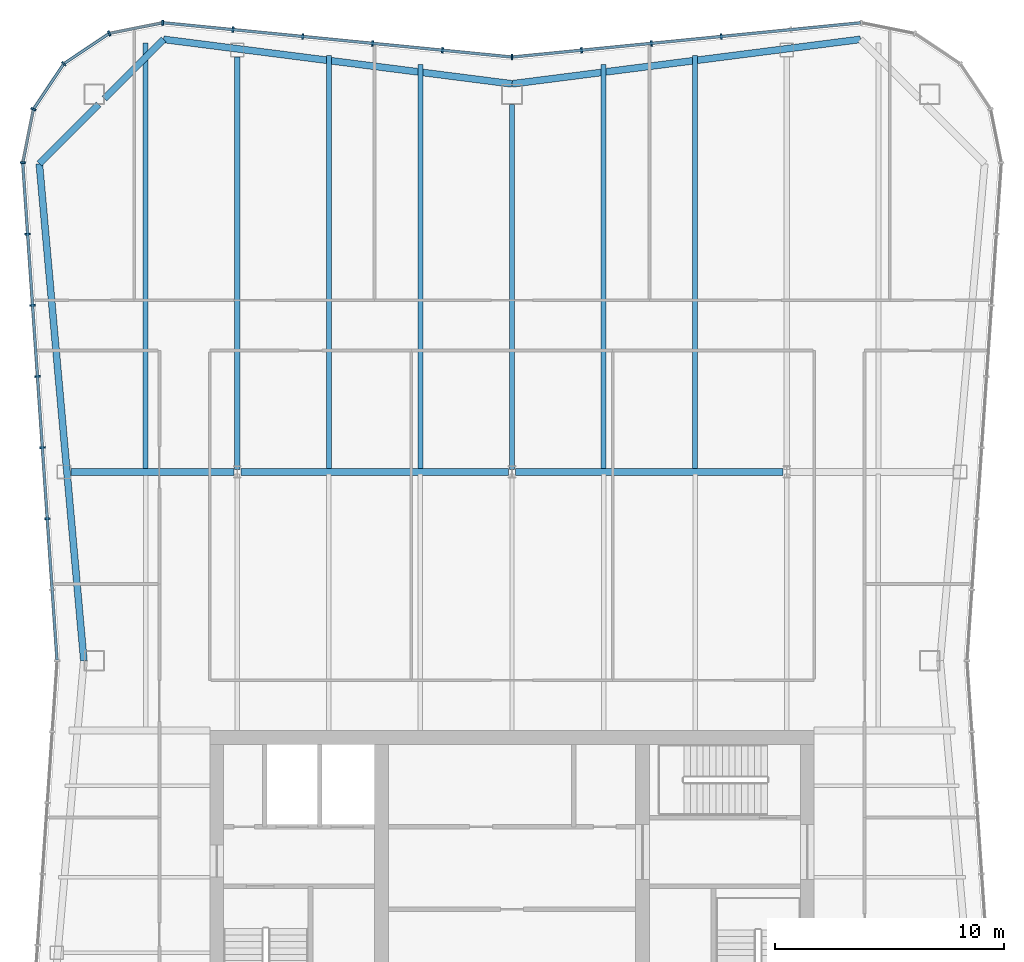
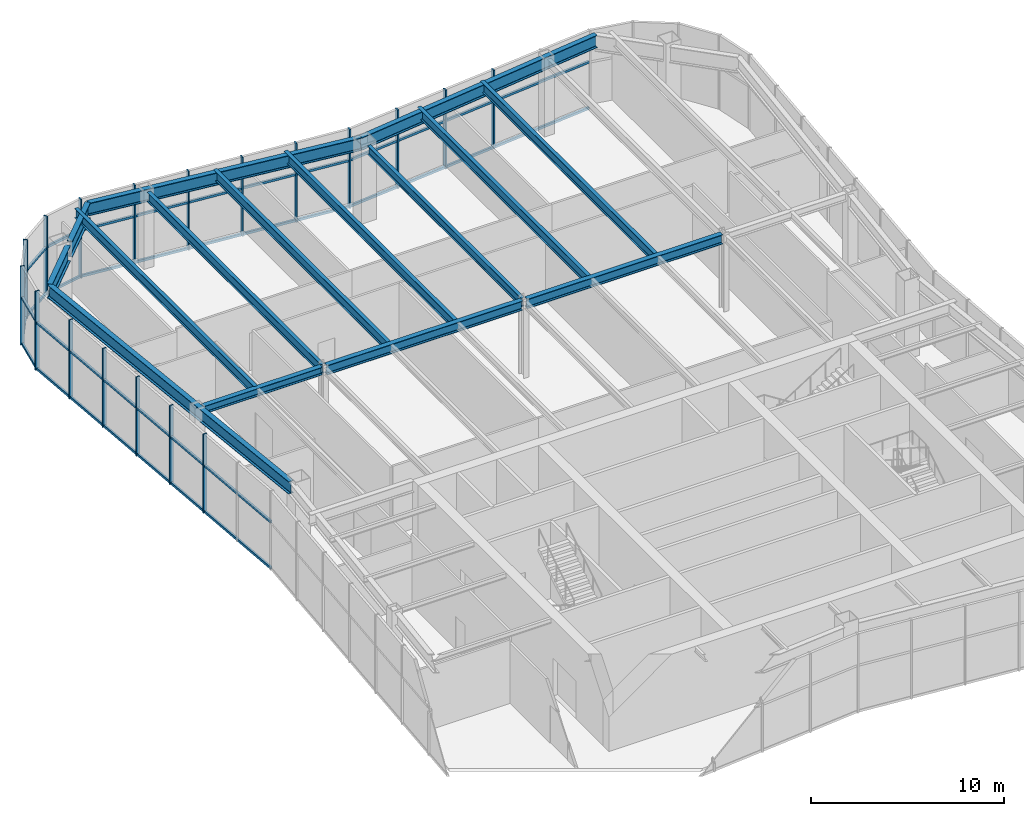
# One storey, part 6 of 13: 32 members, 15 beams, 3 elements without a shape of their own.
"""IFC4 building model written with IfcOpenShell, lengths in metres."""

from ifc_helpers import new_model, si_unit, direction, frame, origin, origin_2d, place, context, subcontext, project, spatial, rectangle, i_section, extrude, material, material_profile, profile_set, type_object, element, aggregate, save


model = new_model("IFC4")

# Units and contexts
model_context = context("Model", 3, precision=1e-05, world=origin(), true_north=direction((0.0, 1.0)))
body_context = subcontext(model_context, "Body", "Model", "MODEL_VIEW")
ifc_project = project(units=[si_unit("LENGTHUNIT", "METRE"), si_unit("AREAUNIT", "SQUARE_METRE"), si_unit("VOLUMEUNIT", "CUBIC_METRE"), si_unit("PLANEANGLEUNIT", "RADIAN"), si_unit("MASSUNIT", "GRAM", prefix="KILO")], contexts=[model_context])

# Site, building, storey
site_placement = place(None, origin())
site = spatial("IfcSite", under=ifc_project, at=site_placement, CompositionType="ELEMENT")
building_placement = place(site_placement, origin())
building = spatial("IfcBuilding", under=site, at=building_placement, Name="Verdant Reach Tower", CompositionType="ELEMENT")
storey_placement = place(building_placement, frame((0.0, 0.0, 354.5)))
storey = spatial("IfcBuildingStorey", under=building, at=storey_placement, Name="L80 Plant", CompositionType="ELEMENT", Elevation=354.5)

# Curtain wall, members
ifc_material_1 = material(Name="Anodised aluminium", Category="aluminium")
curtain_wall_type = type_object("IfcCurtainWallType", Name="EN-CW SYSTEM PLANT", PredefinedType="NOTDEFINED", material=ifc_material_1)
curtain_wall_1_placement = place(storey_placement, origin())
curtain_wall_1 = element("IfcCurtainWall", 1, at=curtain_wall_1_placement, inside=storey, type_object=curtain_wall_type, Name="Curtain wall north, L80", PredefinedType="NOTDEFINED")
ifc_material_profile_1 = material_profile(ifc_material_1, rectangle(XDim=0.238037109375, YDim=0.080078125, at=origin_2d()), Name="Mullion 80x240")
ifc_profile_set_1 = profile_set([ifc_material_profile_1], Name="Anodised aluminium")
member_type_1 = type_object("IfcMemberType", Name="EN-MULLION PLANT", PredefinedType="MULLION", material=ifc_profile_set_1)
member_1_placement = place(storey_placement, frame((9.138427734375, 68.518310546875, -0.35009765625), z_axis=(0.0, 0.0, 1.0), x_axis=(-0.09788826992, 0.995197410875, 0.0)))
member_1 = element("IfcMember", 2, at=member_1_placement, type_object=member_type_1, Name="Mullion north face part 1 3, L80", PredefinedType="MULLION", context=body_context, shape_type="SweptSolid", body=[
    extrude(rectangle(XDim=0.238037109375, YDim=0.080078125, at=origin_2d()), origin(), (0.0, 0.0, 1.0), 5.0),
])
member_2_placement = place(storey_placement, frame((6.08837890625, 68.218505859375, -0.35009765625), z_axis=(0.0, 0.0, 1.0), x_axis=(-0.09788826992, 0.995197410875, 0.0)))
member_2 = element("IfcMember", 3, at=member_2_placement, type_object=member_type_1, Name="Mullion north face part 1 4, L80", PredefinedType="MULLION", context=body_context, shape_type="SweptSolid", body=[
    extrude(rectangle(XDim=0.238037109375, YDim=0.080078125, at=origin_2d()), origin(), (0.0, 0.0, 1.0), 5.0),
])
member_3_placement = place(storey_placement, frame((3.038330078125, 67.91845703125, -0.35009765625), z_axis=(0.0, 0.0, 1.0), x_axis=(-0.09788826992, 0.995197410875, 0.0)))
member_3 = element("IfcMember", 4, at=member_3_placement, type_object=member_type_1, Name="Mullion north face part 1 5, L80", PredefinedType="MULLION", context=body_context, shape_type="SweptSolid", body=[
    extrude(rectangle(XDim=0.238037109375, YDim=0.080078125, at=origin_2d()), origin(), (0.0, 0.0, 1.0), 5.0),
])
member_4_placement = place(storey_placement, frame((0.0, 67.618896484375, -0.35009765625), z_axis=(0.0, 0.0, 1.0), x_axis=(0.0, 1.0, 0.0)))
member_4 = element("IfcMember", 5, at=member_4_placement, type_object=member_type_1, Name="Mullion north face part 2 1, L80", PredefinedType="MULLION", context=body_context, shape_type="SweptSolid", body=[
    extrude(rectangle(XDim=0.238037109375, YDim=0.080078125, at=origin_2d()), origin(), (0.0, 0.0, 1.0), 5.0),
])
member_5_placement = place(storey_placement, frame((-3.038330078125, 67.91845703125, -0.35009765625), z_axis=(0.0, 0.0, 1.0), x_axis=(0.09788826992, 0.995197410875, 0.0)))
member_5 = element("IfcMember", 6, at=member_5_placement, type_object=member_type_1, Name="Mullion north face part 2 2, L80", PredefinedType="MULLION", context=body_context, shape_type="SweptSolid", body=[
    extrude(rectangle(XDim=0.238037109375, YDim=0.080078125, at=origin_2d()), origin(), (0.0, 0.0, 1.0), 5.0),
])
member_6_placement = place(storey_placement, frame((-6.08837890625, 68.218505859375, -0.35009765625), z_axis=(0.0, 0.0, 1.0), x_axis=(0.09788826992, 0.995197410875, 0.0)))
member_6 = element("IfcMember", 7, at=member_6_placement, type_object=member_type_1, Name="Mullion north face part 2 3, L80", PredefinedType="MULLION", context=body_context, shape_type="SweptSolid", body=[
    extrude(rectangle(XDim=0.238037109375, YDim=0.080078125, at=origin_2d()), origin(), (0.0, 0.0, 1.0), 5.0),
])
member_7_placement = place(storey_placement, frame((-9.138427734375, 68.518310546875, -0.35009765625), z_axis=(0.0, 0.0, 1.0), x_axis=(0.09788826992, 0.995197410875, 0.0)))
member_7 = element("IfcMember", 8, at=member_7_placement, type_object=member_type_1, Name="Mullion north face part 2 4, L80", PredefinedType="MULLION", context=body_context, shape_type="SweptSolid", body=[
    extrude(rectangle(XDim=0.238037109375, YDim=0.080078125, at=origin_2d()), origin(), (0.0, 0.0, 1.0), 5.0),
])
member_8_placement = place(storey_placement, frame((-12.188232421875, 68.818359375, -0.35009765625), z_axis=(0.0, 0.0, 1.0), x_axis=(0.09788826992, 0.995197410875, 0.0)))
member_8 = element("IfcMember", 9, at=member_8_placement, type_object=member_type_1, Name="Mullion north face part 2 5, L80", PredefinedType="MULLION", context=body_context, shape_type="SweptSolid", body=[
    extrude(rectangle(XDim=0.238037109375, YDim=0.080078125, at=origin_2d()), origin(), (0.0, 0.0, 1.0), 5.0),
])

curtain_wall_2_placement = place(storey_placement, origin())
curtain_wall_2 = element("IfcCurtainWall", 10, at=curtain_wall_2_placement, inside=storey, type_object=curtain_wall_type, Name="Curtain wall north-west corner, L80", PredefinedType="NOTDEFINED")
member_9_placement = place(storey_placement, frame((-15.255859375, 69.118896484375, -0.35009765625), z_axis=(0.0, 0.0, 1.0), x_axis=(-0.049127596288, 0.998792510626, 0.0)))
member_9 = element("IfcMember", 11, at=member_9_placement, type_object=member_type_1, Name="Mullion north-west corner 1, L80", PredefinedType="MULLION", context=body_context, shape_type="SweptSolid", body=[
    extrude(rectangle(XDim=0.238037109375, YDim=0.080078125, at=origin_2d()), origin(), (0.0, 0.0, 1.0), 5.0),
])
member_10_placement = place(storey_placement, frame((-17.591552734375, 68.6533203125, -0.35009765625), z_axis=(0.0, 0.0, 1.0), x_axis=(-0.382693853776, 0.923875215753, 0.0)))
member_10 = element("IfcMember", 12, at=member_10_placement, type_object=member_type_1, Name="Mullion north-west corner 2, L80", PredefinedType="MULLION", context=body_context, shape_type="SweptSolid", body=[
    extrude(rectangle(XDim=0.238037109375, YDim=0.080078125, at=origin_2d()), origin(), (0.0, 0.0, 1.0), 5.0),
])
member_11_placement = place(storey_placement, frame((-19.57666015625, 67.32666015625, -0.35009765625), z_axis=(0.0, 0.0, 1.0), x_axis=(-0.707106781187, 0.707106781187, 0.0)))
member_11 = element("IfcMember", 13, at=member_11_placement, type_object=member_type_1, Name="Mullion north-west corner 3, L80", PredefinedType="MULLION", context=body_context, shape_type="SweptSolid", body=[
    extrude(rectangle(XDim=0.238037109375, YDim=0.080078125, at=origin_2d()), origin(), (0.0, 0.0, 1.0), 5.0),
])
member_12_placement = place(storey_placement, frame((-20.9033203125, 65.341552734375, -0.35009765625), z_axis=(0.0, 0.0, 1.0), x_axis=(-0.923875215753, 0.382693853776, 0.0)))
member_12 = element("IfcMember", 14, at=member_12_placement, type_object=member_type_1, Name="Mullion north-west corner 4, L80", PredefinedType="MULLION", context=body_context, shape_type="SweptSolid", body=[
    extrude(rectangle(XDim=0.238037109375, YDim=0.080078125, at=origin_2d()), origin(), (0.0, 0.0, 1.0), 5.0),
])

curtain_wall_3_placement = place(storey_placement, origin())
curtain_wall_3 = element("IfcCurtainWall", 15, at=curtain_wall_3_placement, inside=storey, type_object=curtain_wall_type, Name="Curtain wall west, L80", PredefinedType="NOTDEFINED")
member_13_placement = place(storey_placement, frame((-21.36865234375, 63.007568359375, -0.35009765625), z_axis=(0.0, 0.0, 1.0), x_axis=(-0.997969180898, 0.063698618332, 0.0)))
member_13 = element("IfcMember", 16, at=member_13_placement, type_object=member_type_1, Name="Mullion west face part 1 1, L80", PredefinedType="MULLION", context=body_context, shape_type="SweptSolid", body=[
    extrude(rectangle(XDim=0.238037109375, YDim=0.080078125, at=origin_2d()), origin(), (0.0, 0.0, 1.0), 5.0),
])
member_14_placement = place(storey_placement, frame((-21.154541015625, 59.884765625, -0.35009765625), z_axis=(0.0, 0.0, 1.0), x_axis=(-0.997630328423, -0.068802091615, 0.0)))
member_14 = element("IfcMember", 17, at=member_14_placement, type_object=member_type_1, Name="Mullion west face part 1 2, L80", PredefinedType="MULLION", context=body_context, shape_type="SweptSolid", body=[
    extrude(rectangle(XDim=0.238037109375, YDim=0.080078125, at=origin_2d()), origin(), (0.0, 0.0, 1.0), 5.0),
])
member_15_placement = place(storey_placement, frame((-20.940185546875, 56.777587890625, -0.35009765625), z_axis=(0.0, 0.0, 1.0), x_axis=(-0.997630328423, -0.068802091615, 0.0)))
member_15 = element("IfcMember", 18, at=member_15_placement, type_object=member_type_1, Name="Mullion west face part 1 3, L80", PredefinedType="MULLION", context=body_context, shape_type="SweptSolid", body=[
    extrude(rectangle(XDim=0.238037109375, YDim=0.080078125, at=origin_2d()), origin(), (0.0, 0.0, 1.0), 5.0),
])
member_16_placement = place(storey_placement, frame((-20.725830078125, 53.67041015625, -0.35009765625), z_axis=(0.0, 0.0, 1.0), x_axis=(-0.997630328423, -0.068802091615, 0.0)))
member_16 = element("IfcMember", 19, at=member_16_placement, type_object=member_type_1, Name="Mullion west face part 1 4, L80", PredefinedType="MULLION", context=body_context, shape_type="SweptSolid", body=[
    extrude(rectangle(XDim=0.238037109375, YDim=0.080078125, at=origin_2d()), origin(), (0.0, 0.0, 1.0), 5.0),
])
member_17_placement = place(storey_placement, frame((-20.511474609375, 50.563232421875, -0.35009765625), z_axis=(0.0, 0.0, 1.0), x_axis=(-0.997630328423, -0.068802091615, 0.0)))
member_17 = element("IfcMember", 20, at=member_17_placement, type_object=member_type_1, Name="Mullion west face part 1 5, L80", PredefinedType="MULLION", context=body_context, shape_type="SweptSolid", body=[
    extrude(rectangle(XDim=0.238037109375, YDim=0.080078125, at=origin_2d()), origin(), (0.0, 0.0, 1.0), 5.0),
])
member_18_placement = place(storey_placement, frame((-20.29736328125, 47.4560546875, -0.35009765625), z_axis=(0.0, 0.0, 1.0), x_axis=(-0.997630328423, -0.068802091615, 0.0)))
member_18 = element("IfcMember", 21, at=member_18_placement, type_object=member_type_1, Name="Mullion west face part 1 6, L80", PredefinedType="MULLION", context=body_context, shape_type="SweptSolid", body=[
    extrude(rectangle(XDim=0.238037109375, YDim=0.080078125, at=origin_2d()), origin(), (0.0, 0.0, 1.0), 5.0),
])

# Member
ifc_material_profile_2 = material_profile(ifc_material_1, rectangle(XDim=0.1201171875, YDim=0.14990234375, at=origin_2d()), Name="Transom 150x120")
ifc_profile_set_2 = profile_set([ifc_material_profile_2], Name="Anodised aluminium")
member_type_2 = type_object("IfcMemberType", Name="EN-TRANSOM PLANT", PredefinedType="USERDEFINED", material=ifc_profile_set_2)
member_19_placement = place(storey_placement, frame((15.216064453125, 69.114990234375, -0.27490234375), z_axis=(-0.995200989722, -0.097851878144, 0.0), x_axis=(0.097851878144, -0.995200989722, 0.0)))
member_19 = element("IfcMember", 22, at=member_19_placement, type_object=member_type_2, Name="Transom north face part 1 1.1, L80", ObjectType="TRANSOM", PredefinedType="USERDEFINED", context=body_context, shape_type="SweptSolid", body=[
    extrude(rectangle(XDim=0.1201171875, YDim=0.14990234375, at=origin_2d()), origin(), (0.0, 0.0, 1.0), 15.24951171875),
])

member_20_placement = place(storey_placement, frame((15.216064453125, 69.114990234375, 2.64990234375), z_axis=(-0.995200989722, -0.097851878144, 0.0), x_axis=(0.097851878144, -0.995200989722, 0.0)))
member_20 = element("IfcMember", 23, at=member_20_placement, type_object=member_type_2, Name="Transom north face part 1 1.2, L80", ObjectType="TRANSOM", PredefinedType="USERDEFINED", context=body_context, shape_type="SweptSolid", body=[
    extrude(rectangle(XDim=0.1201171875, YDim=0.14990234375, at=origin_2d()), origin(), (0.0, 0.0, 1.0), 15.24951171875),
])

member_21_placement = place(storey_placement, frame((-0.039794921875, 67.622802734375, -0.27490234375), z_axis=(-0.995200989722, 0.097851878144, 0.0), x_axis=(-0.097851878144, -0.995200989722, 0.0)))
member_21 = element("IfcMember", 24, at=member_21_placement, type_object=member_type_2, Name="Transom north face part 2 1.1, L80", ObjectType="TRANSOM", PredefinedType="USERDEFINED", context=body_context, shape_type="SweptSolid", body=[
    extrude(rectangle(XDim=0.1201171875, YDim=0.14990234375, at=origin_2d()), origin(), (0.0, 0.0, 1.0), 15.24951171875),
])

member_22_placement = place(storey_placement, frame((-0.039794921875, 67.622802734375, 2.64990234375), z_axis=(-0.995200989722, 0.097851878144, 0.0), x_axis=(-0.097851878144, -0.995200989722, 0.0)))
member_22 = element("IfcMember", 25, at=member_22_placement, type_object=member_type_2, Name="Transom north face part 2 1.2, L80", ObjectType="TRANSOM", PredefinedType="USERDEFINED", context=body_context, shape_type="SweptSolid", body=[
    extrude(rectangle(XDim=0.1201171875, YDim=0.14990234375, at=origin_2d()), origin(), (0.0, 0.0, 1.0), 15.24951171875),
])

aggregate(curtain_wall_1, [member_1, member_2, member_3, member_19, member_20, member_4, member_5, member_6, member_7, member_8, member_21, member_22])

member_23_placement = place(storey_placement, frame((-15.295166015625, 69.111083984375, -0.27490234375), z_axis=(-0.980706937788, -0.195483764476, 0.0), x_axis=(0.195483764476, -0.980706937788, 0.0)))
member_23 = element("IfcMember", 26, at=member_23_placement, type_object=member_type_2, Name="Transom north-west corner 1.1, L80", ObjectType="TRANSOM", PredefinedType="USERDEFINED", context=body_context, shape_type="SweptSolid", body=[
    extrude(rectangle(XDim=0.1201171875, YDim=0.14990234375, at=origin_2d()), origin(), (0.0, 0.0, 1.0), 2.3017578125),
])

member_24_placement = place(storey_placement, frame((-17.625, 68.631103515625, -0.27490234375), z_axis=(-0.831398626828, -0.5556764556, 0.0), x_axis=(0.5556764556, -0.831398626828, 0.0)))
member_24 = element("IfcMember", 27, at=member_24_placement, type_object=member_type_2, Name="Transom north-west corner 2.1, L80", ObjectType="TRANSOM", PredefinedType="USERDEFINED", context=body_context, shape_type="SweptSolid", body=[
    extrude(rectangle(XDim=0.1201171875, YDim=0.14990234375, at=origin_2d()), origin(), (0.0, 0.0, 1.0), 2.3076171875),
])

member_25_placement = place(storey_placement, frame((-19.598876953125, 67.29345703125, -0.27490234375), z_axis=(-0.5556764556, -0.831398626828, 0.0), x_axis=(0.831398626828, -0.5556764556, 0.0)))
member_25 = element("IfcMember", 28, at=member_25_placement, type_object=member_type_2, Name="Transom north-west corner 3.1, L80", ObjectType="TRANSOM", PredefinedType="USERDEFINED", context=body_context, shape_type="SweptSolid", body=[
    extrude(rectangle(XDim=0.1201171875, YDim=0.14990234375, at=origin_2d()), origin(), (0.0, 0.0, 1.0), 2.3076171875),
])

member_26_placement = place(storey_placement, frame((-20.9111328125, 65.302490234375, -0.27490234375), z_axis=(-0.195524121666, -0.980698892549, 0.0), x_axis=(0.980698892549, -0.195524121666, 0.0)))
member_26 = element("IfcMember", 29, at=member_26_placement, type_object=member_type_2, Name="Transom north-west corner 4.1, L80", ObjectType="TRANSOM", PredefinedType="USERDEFINED", context=body_context, shape_type="SweptSolid", body=[
    extrude(rectangle(XDim=0.1201171875, YDim=0.14990234375, at=origin_2d()), origin(), (0.0, 0.0, 1.0), 2.300048828125),
])

member_27_placement = place(storey_placement, frame((-15.295166015625, 69.111083984375, 2.64990234375), z_axis=(-0.980706937788, -0.195483764476, 0.0), x_axis=(0.195483764476, -0.980706937788, 0.0)))
member_27 = element("IfcMember", 30, at=member_27_placement, type_object=member_type_2, Name="Transom north-west corner 1.2, L80", ObjectType="TRANSOM", PredefinedType="USERDEFINED", context=body_context, shape_type="SweptSolid", body=[
    extrude(rectangle(XDim=0.1201171875, YDim=0.14990234375, at=origin_2d()), origin(), (0.0, 0.0, 1.0), 2.3017578125),
])

member_28_placement = place(storey_placement, frame((-17.625, 68.631103515625, 2.64990234375), z_axis=(-0.831398626828, -0.5556764556, 0.0), x_axis=(0.5556764556, -0.831398626828, 0.0)))
member_28 = element("IfcMember", 31, at=member_28_placement, type_object=member_type_2, Name="Transom north-west corner 2.2, L80", ObjectType="TRANSOM", PredefinedType="USERDEFINED", context=body_context, shape_type="SweptSolid", body=[
    extrude(rectangle(XDim=0.1201171875, YDim=0.14990234375, at=origin_2d()), origin(), (0.0, 0.0, 1.0), 2.3076171875),
])

member_29_placement = place(storey_placement, frame((-19.598876953125, 67.29345703125, 2.64990234375), z_axis=(-0.5556764556, -0.831398626828, 0.0), x_axis=(0.831398626828, -0.5556764556, 0.0)))
member_29 = element("IfcMember", 32, at=member_29_placement, type_object=member_type_2, Name="Transom north-west corner 3.2, L80", ObjectType="TRANSOM", PredefinedType="USERDEFINED", context=body_context, shape_type="SweptSolid", body=[
    extrude(rectangle(XDim=0.1201171875, YDim=0.14990234375, at=origin_2d()), origin(), (0.0, 0.0, 1.0), 2.3076171875),
])

member_30_placement = place(storey_placement, frame((-20.9111328125, 65.302490234375, 2.64990234375), z_axis=(-0.195524121666, -0.980698892549, 0.0), x_axis=(0.980698892549, -0.195524121666, 0.0)))
member_30 = element("IfcMember", 33, at=member_30_placement, type_object=member_type_2, Name="Transom north-west corner 4.2, L80", ObjectType="TRANSOM", PredefinedType="USERDEFINED", context=body_context, shape_type="SweptSolid", body=[
    extrude(rectangle(XDim=0.1201171875, YDim=0.14990234375, at=origin_2d()), origin(), (0.0, 0.0, 1.0), 2.300048828125),
])

aggregate(curtain_wall_2, [member_9, member_10, member_11, member_12, member_23, member_24, member_25, member_26, member_27, member_28, member_29, member_30])

member_31_placement = place(storey_placement, frame((-21.365966796875, 62.9677734375, -0.27490234375), z_axis=(0.068761218296, -0.997633146431, 0.0), x_axis=(0.997633146431, 0.068761218296, 0.0)))
member_31 = element("IfcMember", 34, at=member_31_placement, type_object=member_type_2, Name="Transom west face part 1 1.1, L80", ObjectType="TRANSOM", PredefinedType="USERDEFINED", context=body_context, shape_type="SweptSolid", body=[
    extrude(rectangle(XDim=0.1201171875, YDim=0.14990234375, at=origin_2d()), origin(), (0.0, 0.0, 1.0), 21.7294921875),
])

member_32_placement = place(storey_placement, frame((-21.365966796875, 62.9677734375, 2.64990234375), z_axis=(0.068761218296, -0.997633146431, 0.0), x_axis=(0.997633146431, 0.068761218296, 0.0)))
member_32 = element("IfcMember", 35, at=member_32_placement, type_object=member_type_2, Name="Transom west face part 1 1.2, L80", ObjectType="TRANSOM", PredefinedType="USERDEFINED", context=body_context, shape_type="SweptSolid", body=[
    extrude(rectangle(XDim=0.1201171875, YDim=0.14990234375, at=origin_2d()), origin(), (0.0, 0.0, 1.0), 21.7294921875),
])

aggregate(curtain_wall_3, [member_13, member_14, member_15, member_16, member_17, member_18, member_31, member_32])

# Beams
ifc_material_2 = material(Name="Steel S355", Category="steel")
ifc_material_profile_3 = material_profile(ifc_material_2, i_section(OverallWidth=0.300048828125, OverallDepth=0.489990234375, WebThickness=0.011962890625, FlangeThickness=0.02294921875, FilletRadius=0.027099609375, at=origin_2d()), Name="HEA 500")
ifc_profile_set_3 = profile_set([ifc_material_profile_3], Name="Steel S355")
beam_type_1 = type_object("IfcBeamType", Name="ST-BEAM-HEA500", PredefinedType="BEAM", material=ifc_profile_set_3)
beam_1_placement = place(storey_placement, frame((-19.26904296875, 49.5, 4.60498046875), z_axis=(1.0, 0.0, 0.0), x_axis=(0.0, 1.0, 0.0)))
element("IfcBeam", 36, at=beam_1_placement, inside=storey, type_object=beam_type_1, Name="Row girder, L80 Plant", PredefinedType="BEAM", context=body_context, shape_type="SweptSolid", body=[
    extrude(i_section(OverallWidth=0.300048828125, OverallDepth=0.489990234375, WebThickness=0.011962890625, FlangeThickness=0.02294921875, FilletRadius=0.027099609375, at=origin_2d()), origin(), (0.0, 0.0, 1.0), 7.115966796875),
])
ifc_material_profile_4 = material_profile(ifc_material_2, i_section(OverallWidth=0.300048828125, OverallDepth=0.60009765625, WebThickness=0.015380859375, FlangeThickness=0.030029296875, FilletRadius=0.027099609375, at=origin_2d()), Name="HEB 600")
ifc_profile_set_4 = profile_set([ifc_material_profile_4], Name="Steel S355")
beam_type_2 = type_object("IfcBeamType", Name="ST-BEAM-HEB600", PredefinedType="BEAM", material=ifc_profile_set_4)
for number, where, z_axis, x_axis, name in (
    (37, (-11.846923828125, 49.5, 4.550048828125), (1.0, 0.0, 0.0), (0.0, 1.0, 0.0), "Row girder, L80 Plant"),
    (38, (0.153076171875, 49.5, 4.550048828125), (1.0, 0.0, 0.0), (0.0, 1.0, 0.0), "Row girder, L80 Plant"),
):
    element("IfcBeam", number, at=place(storey_placement, frame(where, z_axis=z_axis, x_axis=x_axis)), inside=storey, type_object=beam_type_2, Name=name, PredefinedType="BEAM", context=body_context, shape_type="SweptSolid", body=[
        extrude(i_section(OverallWidth=0.300048828125, OverallDepth=0.60009765625, WebThickness=0.015380859375, FlangeThickness=0.030029296875, FilletRadius=0.027099609375, at=origin_2d()), origin(), (0.0, 0.0, 1.0), 11.69384765625),
    ])
ifc_material_profile_5 = material_profile(ifc_material_2, i_section(OverallWidth=0.2099609375, OverallDepth=0.550048828125, WebThickness=0.010986328125, FlangeThickness=0.01708984375, FilletRadius=0.02392578125, at=origin_2d()), Name="IPE 550")
ifc_profile_set_5 = profile_set([ifc_material_profile_5], Name="Steel S355")
beam_type_3 = type_object("IfcBeamType", Name="ST-JOIST-IPE550", PredefinedType="JOIST", material=ifc_profile_set_5)
beam_2_placement = place(storey_placement, frame((0.0, 49.60009765625, 4.574951171875), z_axis=(0.0, 1.0, 0.0), x_axis=(-1.0, 0.0, 0.0)))
element("IfcBeam", 39, at=beam_2_placement, inside=storey, type_object=beam_type_3, Name="Floor joist, L80 Plant", PredefinedType="JOIST", context=body_context, shape_type="SweptSolid", body=[
    extrude(i_section(OverallWidth=0.2099609375, OverallDepth=0.550048828125, WebThickness=0.010986328125, FlangeThickness=0.01708984375, FilletRadius=0.02392578125, at=origin_2d()), origin(), (0.0, 0.0, 1.0), 15.949951171875),
])
ifc_material_profile_6 = material_profile(ifc_material_2, i_section(OverallWidth=0.219970703125, OverallDepth=0.60009765625, WebThickness=0.011962890625, FlangeThickness=0.01904296875, FilletRadius=0.02392578125, at=origin_2d()), Name="IPE 600")
ifc_profile_set_6 = profile_set([ifc_material_profile_6], Name="Steel S355")
beam_type_4 = type_object("IfcBeamType", Name="ST-JOIST-IPE600", PredefinedType="JOIST", material=ifc_profile_set_6)
beam_3_placement = place(storey_placement, frame((-16.0, 49.60009765625, 4.550048828125), z_axis=(0.0, 1.0, 0.0), x_axis=(-1.0, 0.0, 0.0)))
element("IfcBeam", 40, at=beam_3_placement, inside=storey, type_object=beam_type_4, Name="Floor joist, L80 Plant", PredefinedType="JOIST", context=body_context, shape_type="SweptSolid", body=[
    extrude(i_section(OverallWidth=0.219970703125, OverallDepth=0.60009765625, WebThickness=0.011962890625, FlangeThickness=0.01904296875, FilletRadius=0.02392578125, at=origin_2d()), origin(), (0.0, 0.0, 1.0), 18.638916015625),
])
beam_4_placement = place(storey_placement, frame((-12.0, 49.60009765625, 4.550048828125), z_axis=(0.0, 1.0, 0.0), x_axis=(-1.0, 0.0, 0.0)))
element("IfcBeam", 41, at=beam_4_placement, inside=storey, type_object=beam_type_4, Name="Floor joist, L80 Plant", PredefinedType="JOIST", context=body_context, shape_type="SweptSolid", body=[
    extrude(i_section(OverallWidth=0.219970703125, OverallDepth=0.60009765625, WebThickness=0.011962890625, FlangeThickness=0.01904296875, FilletRadius=0.02392578125, at=origin_2d()), origin(), (0.0, 0.0, 1.0), 18.0302734375),
])
beam_5_placement = place(storey_placement, frame((-8.0, 49.60009765625, 4.550048828125), z_axis=(0.0, 1.0, 0.0), x_axis=(-1.0, 0.0, 0.0)))
element("IfcBeam", 42, at=beam_5_placement, inside=storey, type_object=beam_type_4, Name="Floor joist, L80 Plant", PredefinedType="JOIST", context=body_context, shape_type="SweptSolid", body=[
    extrude(i_section(OverallWidth=0.219970703125, OverallDepth=0.60009765625, WebThickness=0.011962890625, FlangeThickness=0.01904296875, FilletRadius=0.02392578125, at=origin_2d()), origin(), (0.0, 0.0, 1.0), 18.083984375),
])
for number, where, z_axis, x_axis, name in (
    (43, (-4.0, 49.60009765625, 4.550048828125), (0.0, 1.0, 0.0), (-1.0, 0.0, 0.0), "Floor joist, L80 Plant"),
    (44, (4.0, 49.60009765625, 4.550048828125), (0.0, 1.0, 0.0), (-1.0, 0.0, 0.0), "Floor joist, L80 Plant"),
):
    element("IfcBeam", number, at=place(storey_placement, frame(where, z_axis=z_axis, x_axis=x_axis)), inside=storey, type_object=beam_type_4, Name=name, PredefinedType="JOIST", context=body_context, shape_type="SweptSolid", body=[
        extrude(i_section(OverallWidth=0.219970703125, OverallDepth=0.60009765625, WebThickness=0.011962890625, FlangeThickness=0.01904296875, FilletRadius=0.02392578125, at=origin_2d()), origin(), (0.0, 0.0, 1.0), 17.6904296875),
    ])
beam_6_placement = place(storey_placement, frame((8.0, 49.60009765625, 4.550048828125), z_axis=(0.0, 1.0, 0.0), x_axis=(-1.0, 0.0, 0.0)))
element("IfcBeam", 45, at=beam_6_placement, inside=storey, type_object=beam_type_4, Name="Floor joist, L80 Plant", PredefinedType="JOIST", context=body_context, shape_type="SweptSolid", body=[
    extrude(i_section(OverallWidth=0.219970703125, OverallDepth=0.60009765625, WebThickness=0.011962890625, FlangeThickness=0.01904296875, FilletRadius=0.02392578125, at=origin_2d()), origin(), (0.0, 0.0, 1.0), 18.083984375),
])
ifc_material_profile_7 = material_profile(ifc_material_2, i_section(OverallWidth=0.300048828125, OverallDepth=0.800048828125, WebThickness=0.017578125, FlangeThickness=0.032958984375, FilletRadius=0.030029296875, at=origin_2d()), Name="HEB 800")
ifc_profile_set_7 = profile_set([ifc_material_profile_7], Name="Steel S355")
beam_type_5 = type_object("IfcBeamType", Name="ST-SPANDREL-HEB800", PredefinedType="SPANDREL", material=ifc_profile_set_7)
beam_7_placement = place(storey_placement, frame((-18.699951171875, 41.25, 4.449951171875), z_axis=(-0.089274399498, 0.996007069048, 0.0), x_axis=(-0.996007069048, -0.089274399498, 0.0)))
element("IfcBeam", 46, at=beam_7_placement, inside=storey, type_object=beam_type_5, Name="Edge beam, L80 Plant", PredefinedType="SPANDREL", context=body_context, shape_type="SweptSolid", body=[
    extrude(i_section(OverallWidth=0.300048828125, OverallDepth=0.800048828125, WebThickness=0.017578125, FlangeThickness=0.032958984375, FilletRadius=0.030029296875, at=origin_2d()), origin(), (0.0, 0.0, 1.0), 21.798583984375),
])
for number, where, z_axis, x_axis, name in (
    (47, (-15.22021484375, 68.394287109375, 4.449951171875), (0.991938889669, -0.126717162063, 0.0), (0.126717162063, 0.991938889669, 0.0), "Edge beam, L80 Plant"),
    (48, (0.0, 66.449951171875, 4.449951171875), (0.991938889669, 0.126717162063, 0.0), (-0.126717162063, 0.991938889669, 0.0), "Edge beam, L80 Plant"),
):
    element("IfcBeam", number, at=place(storey_placement, frame(where, z_axis=z_axis, x_axis=x_axis)), inside=storey, type_object=beam_type_5, Name=name, PredefinedType="SPANDREL", context=body_context, shape_type="SweptSolid", body=[
        extrude(i_section(OverallWidth=0.300048828125, OverallDepth=0.800048828125, WebThickness=0.017578125, FlangeThickness=0.032958984375, FilletRadius=0.030029296875, at=origin_2d()), origin(), (0.0, 0.0, 1.0), 15.343994140625),
    ])
ifc_material_profile_8 = material_profile(ifc_material_2, i_section(OverallWidth=0.302001953125, OverallDepth=1.008056640625, WebThickness=0.02099609375, FlangeThickness=0.0400390625, FilletRadius=0.030029296875, at=origin_2d()), Name="HEM 1000")
ifc_profile_set_8 = profile_set([ifc_material_profile_8], Name="Steel S355")
beam_type_6 = type_object("IfcBeamType", Name="ST-SPANDREL-HEM1000", PredefinedType="SPANDREL", material=ifc_profile_set_8)
beam_8_placement = place(storey_placement, frame((-20.64599609375, 62.96142578125, 4.345947265625), z_axis=(0.706639493403, 0.707573760369, 0.0), x_axis=(-0.707573760369, 0.706639493403, 0.0)))
element("IfcBeam", 49, at=beam_8_placement, inside=storey, type_object=beam_type_6, Name="Edge beam, L80 Plant", PredefinedType="SPANDREL", context=body_context, shape_type="SweptSolid", body=[
    extrude(i_section(OverallWidth=0.302001953125, OverallDepth=1.008056640625, WebThickness=0.02099609375, FlangeThickness=0.0400390625, FilletRadius=0.030029296875, at=origin_2d()), origin(), (0.0, 0.0, 1.0), 3.658447265625),
])
beam_9_placement = place(storey_placement, frame((-17.800048828125, 65.81103515625, 4.345947265625), z_axis=(0.706638520854, 0.707574731632, 0.0), x_axis=(-0.707574731632, 0.706638520854, 0.0)))
element("IfcBeam", 50, at=beam_9_placement, inside=storey, type_object=beam_type_6, Name="Edge beam, L80 Plant", PredefinedType="SPANDREL", context=body_context, shape_type="SweptSolid", body=[
    extrude(i_section(OverallWidth=0.302001953125, OverallDepth=1.008056640625, WebThickness=0.02099609375, FlangeThickness=0.0400390625, FilletRadius=0.030029296875, at=origin_2d()), origin(), (0.0, 0.0, 1.0), 3.65087890625),
])

save(model, "model.ifc")
